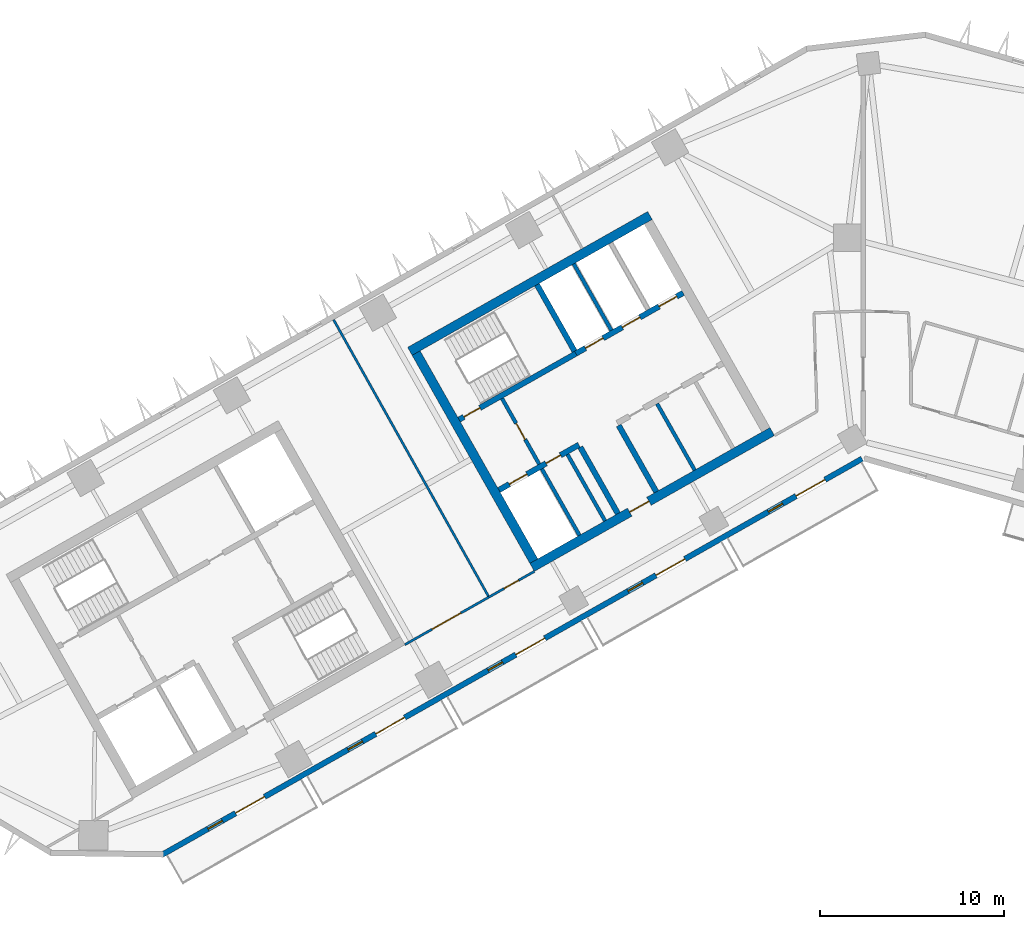
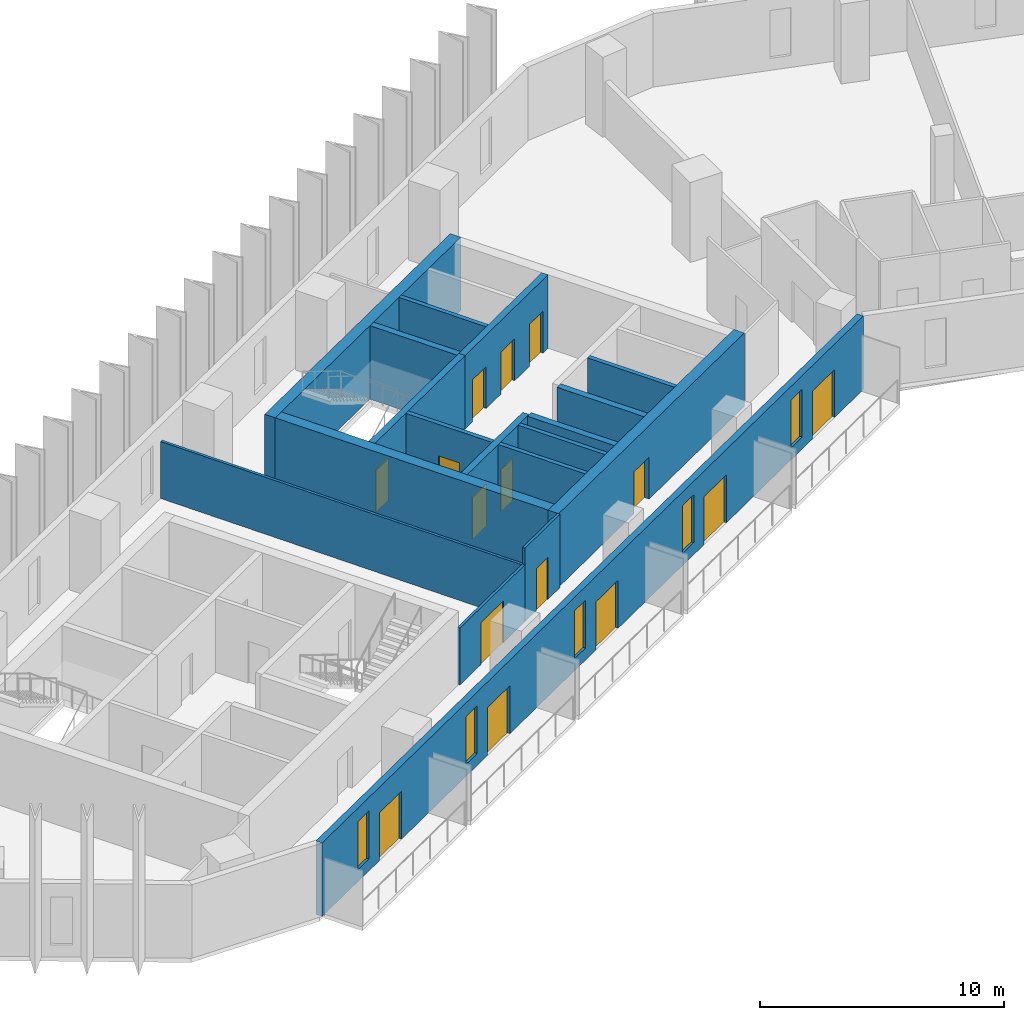
# One storey, part 4 of 10: 18 walls, 15 doors, 5 windows, 20 openings.
"""IFC4 building model written with IfcOpenShell, lengths in metres."""

from ifc_helpers import new_model, si_unit, direction, frame, frame_2d, origin, place, context, subcontext, project, spatial, rectangle, extrude, material, layer, layer_set, type_object, element, fill, save


model = new_model("IFC4")

# Units and contexts
model_context = context("Model", 3, precision=1e-05, world=origin(), true_north=direction((0.0, 1.0)))
body_context = subcontext(model_context, "Body", "Model", "MODEL_VIEW")
ifc_project = project(units=[si_unit("LENGTHUNIT", "METRE"), si_unit("AREAUNIT", "SQUARE_METRE"), si_unit("VOLUMEUNIT", "CUBIC_METRE"), si_unit("PLANEANGLEUNIT", "RADIAN"), si_unit("MASSUNIT", "GRAM", prefix="KILO")], contexts=[model_context])

# Site, building, storey
site_placement = place(None, origin())
site = spatial("IfcSite", under=ifc_project, at=site_placement, CompositionType="ELEMENT")
building_placement = place(site_placement, origin())
building = spatial("IfcBuilding", under=site, at=building_placement, Name="Binnacle Exchange Tower", CompositionType="ELEMENT")
storey_placement = place(building_placement, frame((0.0, 0.0, 186.89990234375)))
storey = spatial("IfcBuildingStorey", under=building, at=storey_placement, Name="L40", CompositionType="ELEMENT", Elevation=186.89990234375)

# Wall
ifc_material_1 = material(Name="Gypsum partition fire rated")
ifc_layer_1 = layer(ifc_material_1, 0.199951171875)
ifc_layer_set_1 = layer_set([ifc_layer_1], Name="Core partition 200")
wall_type_1 = type_object("IfcWallType", Name="Core partition 200", PredefinedType="PARTITIONING", material=ifc_layer_set_1)
wall_1_placement = place(storey_placement, frame((-11.201904296875, 50.96240234375, 0.0), z_axis=(0.0, 0.0, 1.0), x_axis=(0.492441017253, -0.870345818929, 0.0)))
element("IfcWall", 1, at=wall_1_placement, inside=storey, type_object=wall_type_1, Name="Core wall CRWC19", PredefinedType="PARTITIONING", context=body_context, shape_type="SweptSolid", body=[
    extrude(rectangle(XDim=4.150146484375, YDim=0.199951171875, at=frame_2d((2.0751953125, 0.0))), origin(), (0.0, 0.0, 1.0), 3.68017578125),
])

# Wall, openings, doors
ifc_material_2 = material(Name="Concrete C70/85", Category="concrete")
ifc_layer_2 = layer(ifc_material_2, 0.300048828125)
ifc_layer_set_2 = layer_set([ifc_layer_2], Name="Core wall - front 300")
wall_type_2 = type_object("IfcWallType", Name="Core wall - front 300", PredefinedType="SOLIDWALL", material=ifc_layer_set_2)
wall_2_placement = place(storey_placement, frame((-19.80517578125, 46.26708984375, 0.0), z_axis=(0.0, 0.0, 1.0), x_axis=(0.870353598469, 0.492427267353, 0.0)))
wall_2 = element("IfcWall", 2, at=wall_2_placement, inside=storey, type_object=wall_type_2, Name="Core wall CRWC2", PredefinedType="SOLIDWALL", context=body_context, shape_type="SweptSolid", body=[
    extrude(rectangle(XDim=5.0, YDim=0.300048828125, at=frame_2d((2.5, 0.0))), origin(), (0.0, 0.0, 1.0), 3.68017578125),
])
opening_1_placement = place(wall_2_placement, frame((0.64990234375, 0.0, 0.0)))
opening_1 = element("IfcOpeningElement", 3, at=opening_1_placement, cuts=wall_2, Name="Opening LD14", PredefinedType="OPENING", context=body_context, shape_type="SweptSolid", body=[
    extrude(rectangle(XDim=1.10009765625, YDim=2.10009765625, at=frame_2d((0.550048828125, 1.050048828125))), frame((0.0, 0.159912109375, 0.0), z_axis=(0.0, -1.0, 0.0), x_axis=(1.0, 0.0, 0.0)), (0.0, 0.0, 1.0), 0.320068359375),
])
opening_2_placement = place(wall_2_placement, frame((2.949951171875, 0.0, 0.0)))
opening_2 = element("IfcOpeningElement", 4, at=opening_2_placement, cuts=wall_2, Name="Opening DC14", PredefinedType="OPENING", context=body_context, shape_type="SweptSolid", body=[
    extrude(rectangle(XDim=0.89990234375, YDim=2.10009765625, at=frame_2d((0.449951171875, 1.050048828125))), frame((0.0, 0.159912109375, 0.0), z_axis=(0.0, -1.0, 0.0), x_axis=(1.0, 0.0, 0.0)), (0.0, 0.0, 1.0), 0.320068359375),
])
ifc_material_3 = material(Name="Steel door leaf", Category="steel")
door_type_1 = type_object("IfcDoorType", Name="Fire door - lift landing 1100", OperationType="NOTDEFINED", PredefinedType="DOOR", material=ifc_material_3)
door_1_placement = place(opening_1_placement, origin())
door_1 = element("IfcDoor", 5, at=door_1_placement, inside=storey, type_object=door_type_1, Name="Landing door LD14 L40", OperationType="DOUBLE_DOOR_SLIDING", OverallHeight=2.10009765625, OverallWidth=1.10009765625, PredefinedType="DOOR", context=body_context, shape_type="SweptSolid", body=[
    extrude(rectangle(XDim=1.10009765625, YDim=2.10009765625, at=frame_2d((0.550048828125, 1.050048828125))), frame((0.0, 0.02490234375, 0.0), z_axis=(0.0, -1.0, 0.0), x_axis=(1.0, 0.0, 0.0)), (0.0, 0.0, 1.0), 0.050048828125),
])
fill(opening_1, door_1)
door_type_2 = type_object("IfcDoorType", Name="Fire door 900", OperationType="NOTDEFINED", PredefinedType="DOOR", material=ifc_material_3)
door_2_placement = place(opening_2_placement, frame((0.89990234375, 0.0, 0.0), z_axis=(0.0, 0.0, 1.0), x_axis=(-1.0, 0.0, 0.0)))
door_2 = element("IfcDoor", 6, at=door_2_placement, inside=storey, type_object=door_type_2, Name="Core room door UPS CUPBOARD", OperationType="SINGLE_SWING_LEFT", OverallHeight=2.10009765625, OverallWidth=0.89990234375, PredefinedType="DOOR", context=body_context, shape_type="SweptSolid", body=[
    extrude(rectangle(XDim=0.89990234375, YDim=2.10009765625, at=frame_2d((0.449951171875, 1.050048828125))), frame((0.0, 0.02490234375, 0.0), z_axis=(0.0, -1.0, 0.0), x_axis=(1.0, 0.0, 0.0)), (0.0, 0.0, 1.0), 0.050048828125),
])
fill(opening_2, door_2)

wall_3_placement = place(storey_placement, frame((-15.6181640625, 53.69140625, 0.0), z_axis=(0.0, 0.0, 1.0), x_axis=(0.870363236066, 0.492410232738, 0.0)))
wall_3 = element("IfcWall", 7, at=wall_3_placement, inside=storey, type_object=wall_type_2, Name="Core wall CRWC5", PredefinedType="SOLIDWALL", context=body_context, shape_type="SweptSolid", body=[
    extrude(rectangle(XDim=6.699951171875, YDim=0.300048828125, at=frame_2d((3.35009765625, 0.0))), origin(), (0.0, 0.0, 1.0), 3.68017578125),
])
opening_3_placement = place(wall_3_placement, frame((0.60009765625, 0.0, 0.0)))
opening_3 = element("IfcOpeningElement", 8, at=opening_3_placement, cuts=wall_3, Name="Opening LD5", PredefinedType="OPENING", context=body_context, shape_type="SweptSolid", body=[
    extrude(rectangle(XDim=1.10009765625, YDim=2.10009765625, at=frame_2d((0.550048828125, 1.050048828125))), frame((0.0, 0.159912109375, 0.0), z_axis=(0.0, -1.0, 0.0), x_axis=(1.0, 0.0, 0.0)), (0.0, 0.0, 1.0), 0.320068359375),
])
opening_4_placement = place(wall_3_placement, frame((2.89990234375, 0.0, 0.0)))
opening_4 = element("IfcOpeningElement", 9, at=opening_4_placement, cuts=wall_3, Name="Opening LD6", PredefinedType="OPENING", context=body_context, shape_type="SweptSolid", body=[
    extrude(rectangle(XDim=1.10009765625, YDim=2.10009765625, at=frame_2d((0.550048828125, 1.050048828125))), frame((0.0, 0.159912109375, 0.0), z_axis=(0.0, -1.0, 0.0), x_axis=(1.0, 0.0, 0.0)), (0.0, 0.0, 1.0), 0.320068359375),
])
opening_5_placement = place(wall_3_placement, frame((5.199951171875, 0.0, 0.0)))
opening_5 = element("IfcOpeningElement", 10, at=opening_5_placement, cuts=wall_3, Name="Opening LD7", PredefinedType="OPENING", context=body_context, shape_type="SweptSolid", body=[
    extrude(rectangle(XDim=1.10009765625, YDim=2.10009765625, at=frame_2d((0.550048828125, 1.050048828125))), frame((0.0, 0.159912109375, 0.0), z_axis=(0.0, -1.0, 0.0), x_axis=(1.0, 0.0, 0.0)), (0.0, 0.0, 1.0), 0.320068359375),
])
door_3_placement = place(opening_3_placement, origin())
door_3 = element("IfcDoor", 11, at=door_3_placement, inside=storey, type_object=door_type_1, Name="Landing door LD5 L40", OperationType="DOUBLE_DOOR_SLIDING", OverallHeight=2.10009765625, OverallWidth=1.10009765625, PredefinedType="DOOR", context=body_context, shape_type="SweptSolid", body=[
    extrude(rectangle(XDim=1.10009765625, YDim=2.10009765625, at=frame_2d((0.550048828125, 1.050048828125))), frame((0.0, 0.02490234375, 0.0), z_axis=(0.0, -1.0, 0.0), x_axis=(1.0, 0.0, 0.0)), (0.0, 0.0, 1.0), 0.050048828125),
])
fill(opening_3, door_3)
door_4_placement = place(opening_4_placement, origin())
door_4 = element("IfcDoor", 12, at=door_4_placement, inside=storey, type_object=door_type_1, Name="Landing door LD6 L40", OperationType="DOUBLE_DOOR_SLIDING", OverallHeight=2.10009765625, OverallWidth=1.10009765625, PredefinedType="DOOR", context=body_context, shape_type="SweptSolid", body=[
    extrude(rectangle(XDim=1.10009765625, YDim=2.10009765625, at=frame_2d((0.550048828125, 1.050048828125))), frame((0.0, 0.02490234375, 0.0), z_axis=(0.0, -1.0, 0.0), x_axis=(1.0, 0.0, 0.0)), (0.0, 0.0, 1.0), 0.050048828125),
])
fill(opening_4, door_4)
door_5_placement = place(opening_5_placement, origin())
door_5 = element("IfcDoor", 13, at=door_5_placement, inside=storey, type_object=door_type_1, Name="Landing door LD7 L40", OperationType="DOUBLE_DOOR_SLIDING", OverallHeight=2.10009765625, OverallWidth=1.10009765625, PredefinedType="DOOR", context=body_context, shape_type="SweptSolid", body=[
    extrude(rectangle(XDim=1.10009765625, YDim=2.10009765625, at=frame_2d((0.550048828125, 1.050048828125))), frame((0.0, 0.02490234375, 0.0), z_axis=(0.0, -1.0, 0.0), x_axis=(1.0, 0.0, 0.0)), (0.0, 0.0, 1.0), 0.050048828125),
])
fill(opening_5, door_5)

# Walls
for number, where, z_axis, x_axis, name in (
    (14, (-15.37939453125, 48.5986328125, 0.0), (0.0, 0.0, 1.0), (0.492396453737, -0.870371031427, 0.0), "Core wall CRWC13"),
    (15, (-13.29052734375, 49.780517578125, 0.0), (0.0, 0.0, 1.0), (0.492396453737, -0.870371031427, 0.0), "Core wall CRWC15"),
):
    element("IfcWall", number, at=place(storey_placement, frame(where, z_axis=z_axis, x_axis=x_axis)), inside=storey, type_object=wall_type_2, Name=name, PredefinedType="SOLIDWALL", context=body_context, shape_type="SweptSolid", body=[
        extrude(rectangle(XDim=4.14990234375, YDim=0.300048828125, at=frame_2d((2.074951171875, 0.0))), origin(), (0.0, 0.0, 1.0), 3.68017578125),
    ])

# Wall, opening, door
ifc_layer_3 = layer(ifc_material_2, 0.5)
ifc_layer_set_3 = layer_set([ifc_layer_3], Name="Core wall - outer 500")
wall_type_3 = type_object("IfcWallType", Name="Core wall - outer 500", PredefinedType="SOLIDWALL", material=ifc_layer_set_3)
wall_4_placement = place(storey_placement, frame((-17.999755859375, 42.060791015625, 0.0), z_axis=(0.0, 0.0, 1.0), x_axis=(0.870356627484, 0.492421913601, 0.0)))
wall_4 = element("IfcWall", 16, at=wall_4_placement, inside=storey, type_object=wall_type_3, Name="Core wall CRWC1", PredefinedType="SOLIDWALL", context=body_context, shape_type="SweptSolid", body=[
    extrude(rectangle(XDim=14.999755859375, YDim=0.5, at=frame_2d((7.5, 0.0))), origin(), (0.0, 0.0, 1.0), 3.68017578125),
])
opening_6_placement = place(wall_4_placement, frame((6.10009765625, 0.0, 0.0)))
opening_6 = element("IfcOpeningElement", 17, at=opening_6_placement, cuts=wall_4, Name="Opening DC7", PredefinedType="OPENING", context=body_context, shape_type="SweptSolid", body=[
    extrude(rectangle(XDim=1.199951171875, YDim=2.10009765625, at=frame_2d((0.60009765625, 1.050048828125))), frame((0.0, 0.260009765625, 0.0), z_axis=(0.0, -1.0, 0.0), x_axis=(1.0, 0.0, 0.0)), (0.0, 0.0, 1.0), 0.52001953125),
])
door_type_3 = type_object("IfcDoorType", Name="Fire door 1200", OperationType="NOTDEFINED", PredefinedType="DOOR", material=ifc_material_3)
door_6_placement = place(opening_6_placement, frame((1.199951171875, 0.0, 0.0), z_axis=(0.0, 0.0, 1.0), x_axis=(-1.0, 0.0, 0.0)))
door_6 = element("IfcDoor", 18, at=door_6_placement, inside=storey, type_object=door_type_3, Name="Lift lobby entrance door core C", OperationType="SINGLE_SWING_RIGHT", OverallHeight=2.10009765625, OverallWidth=1.199951171875, PredefinedType="DOOR", context=body_context, shape_type="SweptSolid", body=[
    extrude(rectangle(XDim=1.199951171875, YDim=2.10009765625, at=frame_2d((0.60009765625, 1.050048828125))), frame((0.0, 0.02490234375, 0.0), z_axis=(0.0, -1.0, 0.0), x_axis=(1.0, 0.0, 0.0)), (0.0, 0.0, 1.0), 0.050048828125),
])
fill(opening_6, door_6)

# Walls
wall_5_placement = place(storey_placement, frame((-24.6474609375, 53.810546875, 0.0), z_axis=(0.0, 0.0, 1.0), x_axis=(0.87034965173, 0.492434243055, 0.0)))
element("IfcWall", 19, at=wall_5_placement, inside=storey, type_object=wall_type_3, Name="Core wall CRWC6", PredefinedType="SOLIDWALL", context=body_context, shape_type="SweptSolid", body=[
    extrude(rectangle(XDim=15.0, YDim=0.5, at=frame_2d((7.5, 0.0))), origin(), (0.0, 0.0, 1.0), 3.68017578125),
])
wall_6_placement = place(storey_placement, frame((-24.306884765625, 53.716064453125, 0.0), z_axis=(0.0, 0.0, 1.0), x_axis=(0.492427267353, -0.870353598469, 0.0)))
element("IfcWall", 20, at=wall_6_placement, inside=storey, type_object=wall_type_3, Name="Core wall CRWC7", PredefinedType="SOLIDWALL", context=body_context, shape_type="SweptSolid", body=[
    extrude(rectangle(XDim=13.0, YDim=0.5, at=frame_2d((6.5, 0.0))), origin(), (0.0, 0.0, 1.0), 3.68017578125),
])

# Wall, opening, door
ifc_layer_4 = layer(ifc_material_2, 0.300048828125)
ifc_layer_set_4 = layer_set([ifc_layer_4], Name="Core wall - stair 300")
wall_type_4 = type_object("IfcWallType", Name="Core wall - stair 300", PredefinedType="SOLIDWALL", material=ifc_layer_set_4)
wall_7_placement = place(storey_placement, frame((-21.9716796875, 50.0966796875, 0.0), z_axis=(0.0, 0.0, 1.0), x_axis=(0.870350976978, 0.492431900747, 0.0)))
wall_7 = element("IfcWall", 21, at=wall_7_placement, inside=storey, type_object=wall_type_4, Name="Core wall CRWC4", PredefinedType="SOLIDWALL", context=body_context, shape_type="SweptSolid", body=[
    extrude(rectangle(XDim=7.300048828125, YDim=0.300048828125, at=frame_2d((3.64990234375, 0.0))), origin(), (0.0, 0.0, 1.0), 3.68017578125),
])
opening_7_placement = place(wall_7_placement, frame((0.300048828125, 0.0, 0.0)))
opening_7 = element("IfcOpeningElement", 22, at=opening_7_placement, cuts=wall_7, Name="Opening DC1", PredefinedType="OPENING", context=body_context, shape_type="SweptSolid", body=[
    extrude(rectangle(XDim=1.0, YDim=2.10009765625, at=frame_2d((0.5, 1.050048828125))), frame((0.0, 0.159912109375, 0.0), z_axis=(0.0, -1.0, 0.0), x_axis=(1.0, 0.0, 0.0)), (0.0, 0.0, 1.0), 0.320068359375),
])
door_type_4 = type_object("IfcDoorType", Name="Fire door 1000", OperationType="NOTDEFINED", PredefinedType="DOOR", material=ifc_material_3)
door_7_placement = place(opening_7_placement, origin())
door_7 = element("IfcDoor", 23, at=door_7_placement, inside=storey, type_object=door_type_4, Name="Stair door ST-C1", OperationType="SINGLE_SWING_LEFT", OverallHeight=2.10009765625, OverallWidth=1.0, PredefinedType="DOOR", context=body_context, shape_type="SweptSolid", body=[
    extrude(rectangle(XDim=1.0, YDim=2.10009765625, at=frame_2d((0.5, 1.050048828125))), frame((0.0, 0.02490234375, 0.0), z_axis=(0.0, -1.0, 0.0), x_axis=(1.0, 0.0, 0.0)), (0.0, 0.0, 1.0), 0.050048828125),
])
fill(opening_7, door_7)

# Wall
wall_8_placement = place(storey_placement, frame((-17.735595703125, 57.433837890625, 0.0), z_axis=(0.0, 0.0, 1.0), x_axis=(0.492421666909, -0.870356767055, 0.0)))
element("IfcWall", 24, at=wall_8_placement, inside=storey, type_object=wall_type_4, Name="Core wall CRWC14", PredefinedType="SOLIDWALL", context=body_context, shape_type="SweptSolid", body=[
    extrude(rectangle(XDim=4.14990234375, YDim=0.300048828125, at=frame_2d((2.074951171875, 0.0))), origin(), (0.0, 0.0, 1.0), 3.68017578125),
])

# Wall, openings, doors, windows
ifc_material_4 = material(Name="Bronze aluminium cladding", Category="aluminium")
ifc_layer_5 = layer(ifc_material_4, 0.300048828125)
ifc_layer_set_5 = layer_set([ifc_layer_5], Name="External wall - spandrel 300")
wall_type_5 = type_object("IfcWallType", Name="External wall - spandrel 300", PredefinedType="STANDARD", material=ifc_layer_set_5)
wall_9_placement = place(storey_placement, frame((-0.0546875, 47.968994140625, 0.0), z_axis=(0.0, 0.0, 1.0), x_axis=(-0.870355730478, -0.492423499058, 0.0)))
wall_9 = element("IfcWall", 25, at=wall_9_placement, inside=storey, type_object=wall_type_5, Name="External wall EW-G01 L40", PredefinedType="STANDARD", context=body_context, shape_type="SweptSolid", body=[
    extrude(rectangle(XDim=43.750244140625, YDim=0.300048828125, at=frame_2d((21.875, 0.0))), origin(), (0.0, 0.0, 1.0), 3.68017578125),
])
opening_8_placement = place(wall_9_placement, frame((39.976806640625, 0.0, 0.60009765625)))
opening_8 = element("IfcOpeningElement", 26, at=opening_8_placement, cuts=wall_9, Name="Opening WS3", PredefinedType="OPENING", context=body_context, shape_type="SweptSolid", body=[
    extrude(rectangle(XDim=0.89990234375, YDim=2.39990234375, at=frame_2d((0.449951171875, 1.199951171875))), frame((0.0, 0.159912109375, 0.0), z_axis=(0.0, -1.0, 0.0), x_axis=(1.0, 0.0, 0.0)), (0.0, 0.0, 1.0), 0.320068359375),
])
opening_9_placement = place(wall_9_placement, frame((37.338134765625, 0.0, 0.0)))
opening_9 = element("IfcOpeningElement", 27, at=opening_9_placement, cuts=wall_9, Name="Opening D-FS11-01", PredefinedType="OPENING", context=body_context, shape_type="SweptSolid", body=[
    extrude(rectangle(XDim=1.800048828125, YDim=2.39990234375, at=frame_2d((0.89990234375, 1.199951171875))), frame((0.0, 0.159912109375, 0.0), z_axis=(0.0, -1.0, 0.0), x_axis=(1.0, 0.0, 0.0)), (0.0, 0.0, 1.0), 0.320068359375),
])
opening_10_placement = place(wall_9_placement, frame((31.222412109375, 0.0, 0.60009765625)))
opening_10 = element("IfcOpeningElement", 28, at=opening_10_placement, cuts=wall_9, Name="Opening WS3", PredefinedType="OPENING", context=body_context, shape_type="SweptSolid", body=[
    extrude(rectangle(XDim=0.89990234375, YDim=2.39990234375, at=frame_2d((0.449951171875, 1.199951171875))), frame((0.0, 0.159912109375, 0.0), z_axis=(0.0, -1.0, 0.0), x_axis=(1.0, 0.0, 0.0)), (0.0, 0.0, 1.0), 0.320068359375),
])
opening_11_placement = place(wall_9_placement, frame((28.583740234375, 0.0, 0.0)))
opening_11 = element("IfcOpeningElement", 29, at=opening_11_placement, cuts=wall_9, Name="Opening D-FS11-02", PredefinedType="OPENING", context=body_context, shape_type="SweptSolid", body=[
    extrude(rectangle(XDim=1.800048828125, YDim=2.39990234375, at=frame_2d((0.89990234375, 1.199951171875))), frame((0.0, 0.159912109375, 0.0), z_axis=(0.0, -1.0, 0.0), x_axis=(1.0, 0.0, 0.0)), (0.0, 0.0, 1.0), 0.320068359375),
])
opening_12_placement = place(wall_9_placement, frame((22.4677734375, 0.0, 0.60009765625)))
opening_12 = element("IfcOpeningElement", 30, at=opening_12_placement, cuts=wall_9, Name="Opening WS3", PredefinedType="OPENING", context=body_context, shape_type="SweptSolid", body=[
    extrude(rectangle(XDim=0.89990234375, YDim=2.39990234375, at=frame_2d((0.449951171875, 1.199951171875))), frame((0.0, 0.159912109375, 0.0), z_axis=(0.0, -1.0, 0.0), x_axis=(1.0, 0.0, 0.0)), (0.0, 0.0, 1.0), 0.320068359375),
])
opening_13_placement = place(wall_9_placement, frame((19.8291015625, 0.0, 0.0)))
opening_13 = element("IfcOpeningElement", 31, at=opening_13_placement, cuts=wall_9, Name="Opening D-FS11-03", PredefinedType="OPENING", context=body_context, shape_type="SweptSolid", body=[
    extrude(rectangle(XDim=1.800048828125, YDim=2.39990234375, at=frame_2d((0.89990234375, 1.199951171875))), frame((0.0, 0.159912109375, 0.0), z_axis=(0.0, -1.0, 0.0), x_axis=(1.0, 0.0, 0.0)), (0.0, 0.0, 1.0), 0.320068359375),
])
opening_14_placement = place(wall_9_placement, frame((13.713134765625, 0.0, 0.60009765625)))
opening_14 = element("IfcOpeningElement", 32, at=opening_14_placement, cuts=wall_9, Name="Opening WS3", PredefinedType="OPENING", context=body_context, shape_type="SweptSolid", body=[
    extrude(rectangle(XDim=0.89990234375, YDim=2.39990234375, at=frame_2d((0.449951171875, 1.199951171875))), frame((0.0, 0.159912109375, 0.0), z_axis=(0.0, -1.0, 0.0), x_axis=(1.0, 0.0, 0.0)), (0.0, 0.0, 1.0), 0.320068359375),
])
opening_15_placement = place(wall_9_placement, frame((11.07470703125, 0.0, 0.0)))
opening_15 = element("IfcOpeningElement", 33, at=opening_15_placement, cuts=wall_9, Name="Opening D-FS11-04", PredefinedType="OPENING", context=body_context, shape_type="SweptSolid", body=[
    extrude(rectangle(XDim=1.800048828125, YDim=2.39990234375, at=frame_2d((0.89990234375, 1.199951171875))), frame((0.0, 0.159912109375, 0.0), z_axis=(0.0, -1.0, 0.0), x_axis=(1.0, 0.0, 0.0)), (0.0, 0.0, 1.0), 0.320068359375),
])
opening_16_placement = place(wall_9_placement, frame((4.958740234375, 0.0, 0.60009765625)))
opening_16 = element("IfcOpeningElement", 34, at=opening_16_placement, cuts=wall_9, Name="Opening WS3", PredefinedType="OPENING", context=body_context, shape_type="SweptSolid", body=[
    extrude(rectangle(XDim=0.89990234375, YDim=2.39990234375, at=frame_2d((0.449951171875, 1.199951171875))), frame((0.0, 0.159912109375, 0.0), z_axis=(0.0, -1.0, 0.0), x_axis=(1.0, 0.0, 0.0)), (0.0, 0.0, 1.0), 0.320068359375),
])
opening_17_placement = place(wall_9_placement, frame((2.320068359375, 0.0, 0.0)))
opening_17 = element("IfcOpeningElement", 35, at=opening_17_placement, cuts=wall_9, Name="Opening D-FS11-05", PredefinedType="OPENING", context=body_context, shape_type="SweptSolid", body=[
    extrude(rectangle(XDim=1.800048828125, YDim=2.39990234375, at=frame_2d((0.89990234375, 1.199951171875))), frame((0.0, 0.159912109375, 0.0), z_axis=(0.0, -1.0, 0.0), x_axis=(1.0, 0.0, 0.0)), (0.0, 0.0, 1.0), 0.320068359375),
])
ifc_material_5 = material(Name="Bronze anodised aluminium frame", Category="aluminium")
door_type_5 = type_object("IfcDoorType", Name="DB DOOR 1800x2400", OperationType="DOUBLE_DOOR_SINGLE_SWING", PredefinedType="DOOR", material=ifc_material_5)
door_8_placement = place(opening_9_placement, origin())
door_8 = element("IfcDoor", 36, at=door_8_placement, inside=storey, type_object=door_type_5, Name="Door D-FS11-01 L40", OperationType="DOUBLE_DOOR_SINGLE_SWING", OverallHeight=2.39990234375, OverallWidth=1.800048828125, PredefinedType="DOOR", context=body_context, shape_type="SweptSolid", body=[
    extrude(rectangle(XDim=1.800048828125, YDim=2.39990234375, at=frame_2d((0.89990234375, 1.199951171875))), frame((0.0, 0.02490234375, 0.0), z_axis=(0.0, -1.0, 0.0), x_axis=(1.0, 0.0, 0.0)), (0.0, 0.0, 1.0), 0.050048828125),
])
fill(opening_9, door_8)
door_9_placement = place(opening_11_placement, origin())
door_9 = element("IfcDoor", 37, at=door_9_placement, inside=storey, type_object=door_type_5, Name="Door D-FS11-02 L40", OperationType="DOUBLE_DOOR_SINGLE_SWING", OverallHeight=2.39990234375, OverallWidth=1.800048828125, PredefinedType="DOOR", context=body_context, shape_type="SweptSolid", body=[
    extrude(rectangle(XDim=1.800048828125, YDim=2.39990234375, at=frame_2d((0.89990234375, 1.199951171875))), frame((0.0, 0.02490234375, 0.0), z_axis=(0.0, -1.0, 0.0), x_axis=(1.0, 0.0, 0.0)), (0.0, 0.0, 1.0), 0.050048828125),
])
fill(opening_11, door_9)
door_10_placement = place(opening_13_placement, origin())
door_10 = element("IfcDoor", 38, at=door_10_placement, inside=storey, type_object=door_type_5, Name="Door D-FS11-03 L40", OperationType="DOUBLE_DOOR_SINGLE_SWING", OverallHeight=2.39990234375, OverallWidth=1.800048828125, PredefinedType="DOOR", context=body_context, shape_type="SweptSolid", body=[
    extrude(rectangle(XDim=1.800048828125, YDim=2.39990234375, at=frame_2d((0.89990234375, 1.199951171875))), frame((0.0, 0.02490234375, 0.0), z_axis=(0.0, -1.0, 0.0), x_axis=(1.0, 0.0, 0.0)), (0.0, 0.0, 1.0), 0.050048828125),
])
fill(opening_13, door_10)
door_11_placement = place(opening_15_placement, origin())
door_11 = element("IfcDoor", 39, at=door_11_placement, inside=storey, type_object=door_type_5, Name="Door D-FS11-04 L40", OperationType="DOUBLE_DOOR_SINGLE_SWING", OverallHeight=2.39990234375, OverallWidth=1.800048828125, PredefinedType="DOOR", context=body_context, shape_type="SweptSolid", body=[
    extrude(rectangle(XDim=1.800048828125, YDim=2.39990234375, at=frame_2d((0.89990234375, 1.199951171875))), frame((0.0, 0.02490234375, 0.0), z_axis=(0.0, -1.0, 0.0), x_axis=(1.0, 0.0, 0.0)), (0.0, 0.0, 1.0), 0.050048828125),
])
fill(opening_15, door_11)
door_12_placement = place(opening_17_placement, origin())
door_12 = element("IfcDoor", 40, at=door_12_placement, inside=storey, type_object=door_type_5, Name="Door D-FS11-05 L40", OperationType="DOUBLE_DOOR_SINGLE_SWING", OverallHeight=2.39990234375, OverallWidth=1.800048828125, PredefinedType="DOOR", context=body_context, shape_type="SweptSolid", body=[
    extrude(rectangle(XDim=1.800048828125, YDim=2.39990234375, at=frame_2d((0.89990234375, 1.199951171875))), frame((0.0, 0.02490234375, 0.0), z_axis=(0.0, -1.0, 0.0), x_axis=(1.0, 0.0, 0.0)), (0.0, 0.0, 1.0), 0.050048828125),
])
fill(opening_17, door_12)
window_type = type_object("IfcWindowType", Name="WS3 WINDOW 900x2400", PartitioningType="SINGLE_PANEL", PredefinedType="WINDOW", material=ifc_material_5)
window_1_placement = place(opening_8_placement, origin())
window_1 = element("IfcWindow", 41, at=window_1_placement, inside=storey, type_object=window_type, Name="Window WS3 L40", OverallHeight=2.39990234375, OverallWidth=0.89990234375, PartitioningType="SINGLE_PANEL", PredefinedType="WINDOW", context=body_context, shape_type="SweptSolid", body=[
    extrude(rectangle(XDim=0.89990234375, YDim=2.39990234375, at=frame_2d((0.449951171875, 1.199951171875))), frame((0.0, 0.030029296875, 0.0), z_axis=(0.0, -1.0, 0.0), x_axis=(1.0, 0.0, 0.0)), (0.0, 0.0, 1.0), 0.06005859375),
])
fill(opening_8, window_1)
window_2_placement = place(opening_10_placement, origin())
window_2 = element("IfcWindow", 42, at=window_2_placement, inside=storey, type_object=window_type, Name="Window WS3 L40", OverallHeight=2.39990234375, OverallWidth=0.89990234375, PartitioningType="SINGLE_PANEL", PredefinedType="WINDOW", context=body_context, shape_type="SweptSolid", body=[
    extrude(rectangle(XDim=0.89990234375, YDim=2.39990234375, at=frame_2d((0.449951171875, 1.199951171875))), frame((0.0, 0.030029296875, 0.0), z_axis=(0.0, -1.0, 0.0), x_axis=(1.0, 0.0, 0.0)), (0.0, 0.0, 1.0), 0.06005859375),
])
fill(opening_10, window_2)
window_3_placement = place(opening_12_placement, origin())
window_3 = element("IfcWindow", 43, at=window_3_placement, inside=storey, type_object=window_type, Name="Window WS3 L40", OverallHeight=2.39990234375, OverallWidth=0.89990234375, PartitioningType="SINGLE_PANEL", PredefinedType="WINDOW", context=body_context, shape_type="SweptSolid", body=[
    extrude(rectangle(XDim=0.89990234375, YDim=2.39990234375, at=frame_2d((0.449951171875, 1.199951171875))), frame((0.0, 0.030029296875, 0.0), z_axis=(0.0, -1.0, 0.0), x_axis=(1.0, 0.0, 0.0)), (0.0, 0.0, 1.0), 0.06005859375),
])
fill(opening_12, window_3)
window_4_placement = place(opening_14_placement, origin())
window_4 = element("IfcWindow", 44, at=window_4_placement, inside=storey, type_object=window_type, Name="Window WS3 L40", OverallHeight=2.39990234375, OverallWidth=0.89990234375, PartitioningType="SINGLE_PANEL", PredefinedType="WINDOW", context=body_context, shape_type="SweptSolid", body=[
    extrude(rectangle(XDim=0.89990234375, YDim=2.39990234375, at=frame_2d((0.449951171875, 1.199951171875))), frame((0.0, 0.030029296875, 0.0), z_axis=(0.0, -1.0, 0.0), x_axis=(1.0, 0.0, 0.0)), (0.0, 0.0, 1.0), 0.06005859375),
])
fill(opening_14, window_4)
window_5_placement = place(opening_16_placement, origin())
window_5 = element("IfcWindow", 45, at=window_5_placement, inside=storey, type_object=window_type, Name="Window WS3 L40", OverallHeight=2.39990234375, OverallWidth=0.89990234375, PartitioningType="SINGLE_PANEL", PredefinedType="WINDOW", context=body_context, shape_type="SweptSolid", body=[
    extrude(rectangle(XDim=0.89990234375, YDim=2.39990234375, at=frame_2d((0.449951171875, 1.199951171875))), frame((0.0, 0.030029296875, 0.0), z_axis=(0.0, -1.0, 0.0), x_axis=(1.0, 0.0, 0.0)), (0.0, 0.0, 1.0), 0.06005859375),
])
fill(opening_16, window_5)

# Wall, opening, door
ifc_material_6 = material(Name="Masonry block wall", Category="masonry")
ifc_layer_6 = layer(ifc_material_6, 0.199951171875)
ifc_layer_set_6 = layer_set([ifc_layer_6], Name="Fire wall - vestibule 200")
wall_type_6 = type_object("IfcWallType", Name="Fire wall - vestibule 200", PredefinedType="PARTITIONING", material=ifc_layer_set_6)
wall_10_placement = place(storey_placement, frame((-19.635009765625, 51.246337890625, 0.0), z_axis=(0.0, 0.0, 1.0), x_axis=(0.492408451753, -0.87036424366, 0.0)))
wall_10 = element("IfcWall", 46, at=wall_10_placement, inside=storey, type_object=wall_type_6, Name="Core wall CRWC10", PredefinedType="PARTITIONING", context=body_context, shape_type="SweptSolid", body=[
    extrude(rectangle(XDim=4.099853515625, YDim=0.199951171875, at=frame_2d((2.0498046875, 0.0))), origin(), (0.0, 0.0, 1.0), 3.68017578125),
])
opening_18_placement = place(wall_10_placement, frame((1.550048828125, 0.0, 0.0)))
opening_18 = element("IfcOpeningElement", 47, at=opening_18_placement, cuts=wall_10, Name="Opening DC3", PredefinedType="OPENING", context=body_context, shape_type="SweptSolid", body=[
    extrude(rectangle(XDim=1.0, YDim=2.10009765625, at=frame_2d((0.5, 1.050048828125))), frame((0.0, 0.10986328125, 0.0), z_axis=(0.0, -1.0, 0.0), x_axis=(1.0, 0.0, 0.0)), (0.0, 0.0, 1.0), 0.219970703125),
])
door_13_placement = place(opening_18_placement, frame((1.0, 0.0, 0.0), z_axis=(0.0, 0.0, 1.0), x_axis=(-1.0, 0.0, 0.0)))
door_13 = element("IfcDoor", 48, at=door_13_placement, inside=storey, type_object=door_type_4, Name="Vestibule door VEST-W", OperationType="SINGLE_SWING_RIGHT", OverallHeight=2.10009765625, OverallWidth=1.0, PredefinedType="DOOR", context=body_context, shape_type="SweptSolid", body=[
    extrude(rectangle(XDim=1.0, YDim=2.10009765625, at=frame_2d((0.5, 1.050048828125))), frame((0.0, 0.02490234375, 0.0), z_axis=(0.0, -1.0, 0.0), x_axis=(1.0, 0.0, 0.0)), (0.0, 0.0, 1.0), 0.050048828125),
])
fill(opening_18, door_13)

# Wall
ifc_material_7 = material(Name="Gypsum partition")
ifc_layer_7 = layer(ifc_material_7, 0.125)
ifc_layer_set_7 = layer_set([ifc_layer_7], Name="Partition 125")
wall_type_7 = type_object("IfcWallType", Name="Partition 125", PredefinedType="PARTITIONING", material=ifc_layer_set_7)
wall_11_placement = place(storey_placement, frame((-28.799072265625, 55.533935546875, 0.0), z_axis=(0.0, 0.0, 1.0), x_axis=(0.488587464104, -0.872514922463, 0.0)))
element("IfcWall", 49, at=wall_11_placement, inside=storey, type_object=wall_type_7, Name="Partition W03", PredefinedType="PARTITIONING", context=body_context, shape_type="SweptSolid", body=[
    extrude(rectangle(XDim=17.294677734375, YDim=0.125, at=frame_2d((8.6474609375, 0.0))), origin(), (0.0, 0.0, 1.0), 2.85205078125),
])

# Wall, opening, door
wall_12_placement = place(storey_placement, frame((-24.9189453125, 37.85888671875, 0.0), z_axis=(0.0, 0.0, 1.0), x_axis=(0.870378311622, 0.492383584879, 0.0)))
wall_12 = element("IfcWall", 50, at=wall_12_placement, inside=storey, type_object=wall_type_7, Name="Partition W04", PredefinedType="PARTITIONING", context=body_context, shape_type="SweptSolid", body=[
    extrude(rectangle(XDim=5.25048828125, YDim=0.125, at=frame_2d((2.625244140625, 0.0))), origin(), (0.0, 0.0, 1.0), 2.85205078125),
])
opening_19_placement = place(wall_12_placement, frame((1.699951171875, 0.0, 0.0)))
opening_19 = element("IfcOpeningElement", 51, at=opening_19_placement, cuts=wall_12, Name="Opening DL38-01", PredefinedType="OPENING", context=body_context, shape_type="SweptSolid", body=[
    extrude(rectangle(XDim=1.800048828125, YDim=2.10009765625, at=frame_2d((0.89990234375, 1.050048828125))), frame((0.0, 0.072509765625, 0.0), z_axis=(0.0, -1.0, 0.0), x_axis=(1.0, 0.0, 0.0)), (0.0, 0.0, 1.0), 0.14501953125),
])
ifc_material_8 = material(Name="Timber door leaf", Category="wood")
door_type_6 = type_object("IfcDoorType", Name="Double door 1800", OperationType="NOTDEFINED", PredefinedType="DOOR", material=ifc_material_8)
door_14_placement = place(opening_19_placement, origin())
door_14 = element("IfcDoor", 52, at=door_14_placement, inside=storey, type_object=door_type_6, Name="Door DL38-01", OperationType="DOUBLE_DOOR_SINGLE_SWING", OverallHeight=2.10009765625, OverallWidth=1.800048828125, PredefinedType="DOOR", context=body_context, shape_type="SweptSolid", body=[
    extrude(rectangle(XDim=1.800048828125, YDim=2.10009765625, at=frame_2d((0.89990234375, 1.050048828125))), frame((0.0, 0.02490234375, 0.0), z_axis=(0.0, -1.0, 0.0), x_axis=(1.0, 0.0, 0.0)), (0.0, 0.0, 1.0), 0.050048828125),
])
fill(opening_19, door_14)

wall_13_placement = place(storey_placement, frame((-20.34912109375, 40.444091796875, 0.0), z_axis=(0.0, 0.0, 1.0), x_axis=(0.87031941539, 0.492487680247, 0.0)))
wall_13 = element("IfcWall", 53, at=wall_13_placement, inside=storey, type_object=wall_type_7, Name="Partition W05", PredefinedType="PARTITIONING", context=body_context, shape_type="SweptSolid", body=[
    extrude(rectangle(XDim=2.840576171875, YDim=0.125, at=frame_2d((1.42041015625, 0.0))), origin(), (0.0, 0.0, 1.0), 3.68017578125),
])
opening_20_placement = place(wall_13_placement, frame((0.949951171875, 0.0, 0.0)))
opening_20 = element("IfcOpeningElement", 54, at=opening_20_placement, cuts=wall_13, Name="Opening DL38-02", PredefinedType="OPENING", context=body_context, shape_type="SweptSolid", body=[
    extrude(rectangle(XDim=0.89990234375, YDim=2.10009765625, at=frame_2d((0.449951171875, 1.050048828125))), frame((0.0, 0.072509765625, 0.0), z_axis=(0.0, -1.0, 0.0), x_axis=(1.0, 0.0, 0.0)), (0.0, 0.0, 1.0), 0.14501953125),
])
door_type_7 = type_object("IfcDoorType", Name="Door 900", OperationType="NOTDEFINED", PredefinedType="DOOR", material=ifc_material_8)
door_15_placement = place(opening_20_placement, origin())
door_15 = element("IfcDoor", 55, at=door_15_placement, inside=storey, type_object=door_type_7, Name="Door DL38-02", OperationType="SINGLE_SWING_LEFT", OverallHeight=2.10009765625, OverallWidth=0.89990234375, PredefinedType="DOOR", context=body_context, shape_type="SweptSolid", body=[
    extrude(rectangle(XDim=0.89990234375, YDim=2.10009765625, at=frame_2d((0.449951171875, 1.050048828125))), frame((0.0, 0.02490234375, 0.0), z_axis=(0.0, -1.0, 0.0), x_axis=(1.0, 0.0, 0.0)), (0.0, 0.0, 1.0), 0.050048828125),
])
fill(opening_20, door_15)

# Walls
ifc_layer_8 = layer(ifc_material_6, 0.199951171875)
ifc_layer_set_8 = layer_set([ifc_layer_8], Name="Riser wall 200")
wall_type_8 = type_object("IfcWallType", Name="Riser wall 200", PredefinedType="SOLIDWALL", material=ifc_layer_set_8)
wall_14_placement = place(storey_placement, frame((-16.07568359375, 48.20458984375, 0.0), z_axis=(0.0, 0.0, 1.0), x_axis=(0.492421666909, -0.870356767055, 0.0)))
element("IfcWall", 56, at=wall_14_placement, inside=storey, type_object=wall_type_8, Name="Core wall CRWC12", PredefinedType="SOLIDWALL", context=body_context, shape_type="SweptSolid", body=[
    extrude(rectangle(XDim=4.14990234375, YDim=0.199951171875, at=frame_2d((2.074951171875, 0.0))), origin(), (0.0, 0.0, 1.0), 3.68017578125),
])
ifc_layer_9 = layer(ifc_material_6, 0.199951171875)
ifc_layer_set_9 = layer_set([ifc_layer_9], Name="Shaft wall 200")
wall_type_9 = type_object("IfcWallType", Name="Shaft wall 200", PredefinedType="SOLIDWALL", material=ifc_layer_set_9)
for number, where, z_axis, x_axis, name in (
    (57, (-17.468505859375, 47.416748046875, 0.0), (0.0, 0.0, 1.0), (0.492441017253, -0.870345818929, 0.0), "Core wall CRWC9"),
    (58, (-15.73388671875, 58.56640625, 0.0), (0.0, 0.0, 1.0), (0.492441017253, -0.870345818929, 0.0), "Core wall CRWC18"),
):
    element("IfcWall", number, at=place(storey_placement, frame(where, z_axis=z_axis, x_axis=x_axis)), inside=storey, type_object=wall_type_9, Name=name, PredefinedType="SOLIDWALL", context=body_context, shape_type="SweptSolid", body=[
        extrude(rectangle(XDim=4.150146484375, YDim=0.199951171875, at=frame_2d((2.0751953125, 0.0))), origin(), (0.0, 0.0, 1.0), 3.68017578125),
    ])

save(model, "model.ifc")
